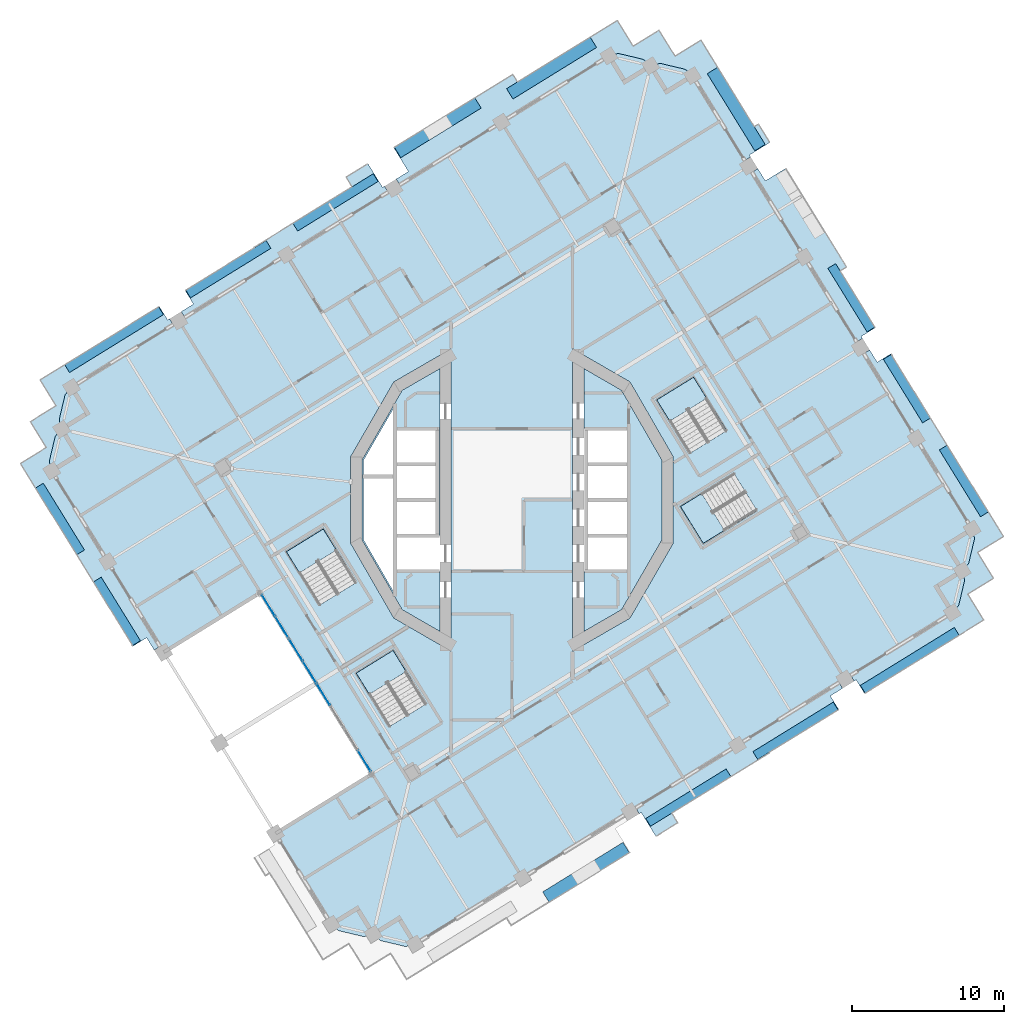
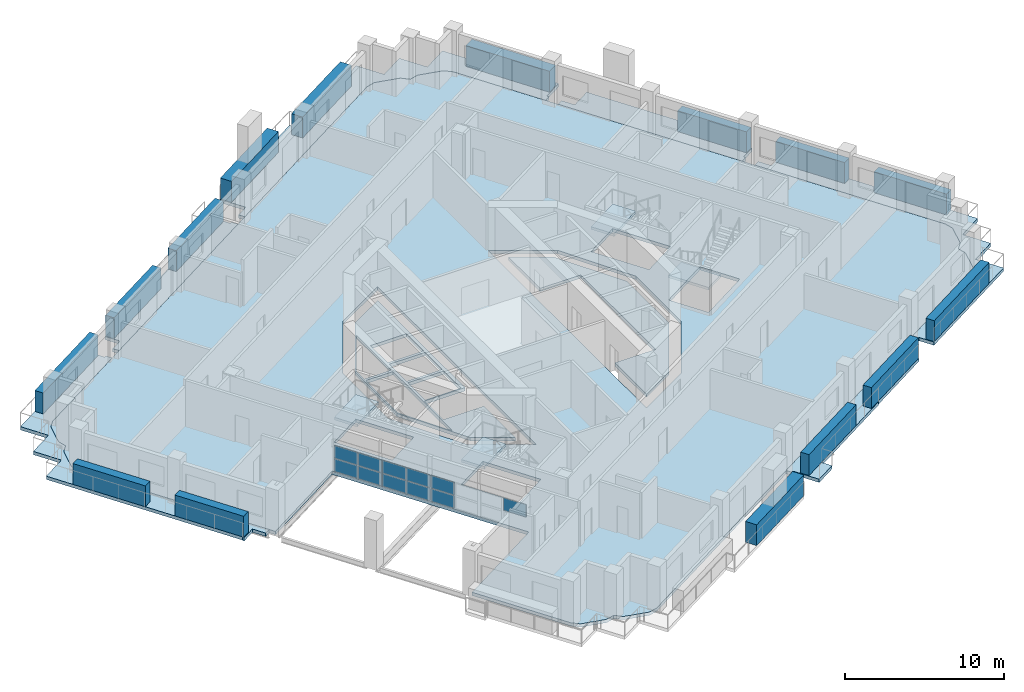
# One storey, part 6 of 22: 26 plates, 13 slabs, 5 elements without a shape of their own.
"""IFC4 building model written with IfcOpenShell, lengths in metres."""

from ifc_helpers import new_model, si_unit, direction, frame, origin, origin_2d, place, context, subcontext, project, spatial, polyline, rectangle, outline, extrude, material, layer, layer_set, type_object, element, aggregate, save


model = new_model("IFC4")

# Units and contexts
model_context = context("Model", 3, precision=1e-05, world=origin(), true_north=direction((0.0, 1.0)))
body_context = subcontext(model_context, "Body", "Model", "MODEL_VIEW")
ifc_project = project(units=[si_unit("LENGTHUNIT", "METRE"), si_unit("AREAUNIT", "SQUARE_METRE"), si_unit("VOLUMEUNIT", "CUBIC_METRE"), si_unit("PLANEANGLEUNIT", "RADIAN"), si_unit("MASSUNIT", "GRAM", prefix="KILO")], contexts=[model_context])

# Site, building, storey
site_placement = place(None, origin())
site = spatial("IfcSite", under=ifc_project, at=site_placement, CompositionType="ELEMENT")
building_placement = place(site_placement, origin())
building = spatial("IfcBuilding", under=site, at=building_placement, Name="Cantera Rosa Tower", CompositionType="ELEMENT")
storey_placement = place(building_placement, frame((0.0, 0.0, 166.60009765625)))
storey = spatial("IfcBuildingStorey", under=building, at=storey_placement, Name="L36", CompositionType="ELEMENT", Elevation=166.60009765625)

# Slabs
ifc_material_1 = material(Name="Concrete C35/45", Category="concrete")
ifc_layer_1 = layer(ifc_material_1, 0.25)
ifc_layer_set_1 = layer_set([ifc_layer_1], Name="COMPOSITE FLOOR SLAB 250 C35/45")
slab_type_1 = type_object("IfcSlabType", Name="COMPOSITE FLOOR SLAB 250 C35/45", PredefinedType="FLOOR", material=ifc_layer_set_1)
slab_1_placement = place(storey_placement, frame((0.0, 0.0, -0.25)))
element("IfcSlab", 1, at=slab_1_placement, inside=storey, type_object=slab_type_1, Name="SLAB L36 floor 1", PredefinedType="FLOOR", context=body_context, shape_type="SweptSolid", body=[
    extrude(outline(polyline([(-7.22900390625, 7.22900390625), (-4.75, 8.660400390625), (-4.75, -2.35009765625), (-7.699951171875, -2.35009765625), (-7.699951171875, -4.699951171875), (-4.75, -4.699951171875), (-4.75, -8.660400390625), (-7.22900390625, -7.22900390625), (-9.875244140625, -2.64599609375), (-9.875244140625, 2.64599609375), (-7.22900390625, 7.22900390625)]), holes=[polyline([(-7.800048828125, 1.439208984375), (-9.775146484375, 1.439208984375), (-9.775146484375, -2.619384765625), (-7.800048828125, -6.040283203125), (-7.800048828125, 1.439208984375)]), polyline([(-7.60009765625, -0.10009765625), (-7.60009765625, -2.25), (-5.0, -2.25), (-5.0, -0.10009765625), (-7.60009765625, -0.10009765625)]), polyline([(-7.60009765625, 2.25), (-7.60009765625, 0.10009765625), (-5.0, 0.10009765625), (-5.0, 2.25), (-7.60009765625, 2.25)]), polyline([(-7.60009765625, 4.60009765625), (-7.60009765625, 2.449951171875), (-5.0, 2.449951171875), (-5.0, 4.60009765625), (-7.60009765625, 4.60009765625)]), polyline([(-7.800048828125, 6.040283203125), (-9.775146484375, 2.619384765625), (-9.775146484375, 1.639404296875), (-7.800048828125, 1.639404296875), (-7.800048828125, 6.040283203125)])]), origin(), (0.0, 0.0, 1.0), 0.25),
])
slab_2_placement = place(storey_placement, frame((0.0, 0.0, -0.25)))
element("IfcSlab", 2, at=slab_2_placement, inside=storey, type_object=slab_type_1, Name="SLAB L36 floor 2", PredefinedType="FLOOR", context=body_context, shape_type="SweptSolid", body=[
    extrude(outline(polyline([(-8.647705078125, -29.0283203125), (-8.673828125, -29.014892578125), (-8.698486328125, -28.998779296875), (-8.721435546875, -28.98046875), (-9.14208984375, -28.60888671875), (-9.684814453125, -28.752197265625), (-9.713623046875, -28.75830078125), (-9.742919921875, -28.761474609375), (-9.772216796875, -28.76171875), (-9.801513671875, -28.75927734375), (-9.83056640625, -28.75390625), (-11.34423828125, -28.395263671875), (-11.37255859375, -28.386962890625), (-11.39990234375, -28.376220703125), (-11.426025390625, -28.362548828125), (-11.45068359375, -28.346435546875), (-11.4736328125, -28.328125), (-11.894287109375, -27.95654296875), (-12.408935546875, -27.122314453125), (-15.57958984375, -21.981689453125), (-9.1962890625, -18.04443359375), (-16.56689453125, -6.0947265625), (-22.950439453125, -10.031982421875), (-30.321044921875, 1.917724609375), (-30.46435546875, 2.460205078125), (-30.470458984375, 2.489013671875), (-30.4736328125, 2.518310546875), (-30.47412109375, 2.5478515625), (-30.4716796875, 2.5771484375), (-30.46630859375, 2.606201171875), (-30.107421875, 4.119873046875), (-30.09912109375, 4.148193359375), (-30.08837890625, 4.17529296875), (-30.07470703125, 4.20166015625), (-30.05859375, 4.226318359375), (-30.040283203125, 4.249267578125), (-29.668701171875, 4.669921875), (-29.81201171875, 5.21240234375), (-29.818115234375, 5.2412109375), (-29.8212890625, 5.2705078125), (-29.82177734375, 5.300048828125), (-29.8193359375, 5.329345703125), (-29.81396484375, 5.3583984375), (-29.455078125, 6.8720703125), (-29.447021484375, 6.900390625), (-29.43603515625, 6.927490234375), (-29.422607421875, 6.953857421875), (-29.406494140625, 6.978515625), (-29.38818359375, 7.00146484375), (-29.0166015625, 7.422119140625), (6.389892578125, 29.260986328125), (6.9326171875, 29.404296875), (6.96142578125, 29.410400390625), (6.99072265625, 29.413818359375), (7.02001953125, 29.4140625), (7.049560546875, 29.41162109375), (7.078369140625, 29.40625), (8.592041015625, 29.047607421875), (8.620361328125, 29.039306640625), (8.647705078125, 29.0283203125), (8.673828125, 29.014892578125), (8.698486328125, 28.998779296875), (8.721435546875, 28.98046875), (9.14208984375, 28.60888671875), (9.684814453125, 28.752197265625), (9.713623046875, 28.75830078125), (9.742919921875, 28.761474609375), (9.772216796875, 28.76171875), (9.801513671875, 28.75927734375), (9.83056640625, 28.75390625), (11.34423828125, 28.395263671875), (11.37255859375, 28.386962890625), (11.39990234375, 28.376220703125), (11.426025390625, 28.362548828125), (11.45068359375, 28.346435546875), (11.4736328125, 28.328125), (11.894287109375, 27.95654296875), (30.321044921875, -1.917724609375), (30.46435546875, -2.460205078125), (30.470458984375, -2.489013671875), (30.4736328125, -2.518310546875), (30.47412109375, -2.5478515625), (30.4716796875, -2.5771484375), (30.46630859375, -2.606201171875), (30.107421875, -4.119873046875), (30.09912109375, -4.148193359375), (30.08837890625, -4.17529296875), (30.07470703125, -4.20166015625), (30.05859375, -4.226318359375), (30.040283203125, -4.249267578125), (29.668701171875, -4.669921875), (29.81201171875, -5.21240234375), (29.818115234375, -5.2412109375), (29.8212890625, -5.2705078125), (29.82177734375, -5.300048828125), (29.8193359375, -5.329345703125), (29.81396484375, -5.3583984375), (29.455078125, -6.8720703125), (29.447021484375, -6.900390625), (29.43603515625, -6.927490234375), (29.422607421875, -6.953857421875), (29.406494140625, -6.978515625), (29.38818359375, -7.00146484375), (29.0166015625, -7.422119140625), (28.18212890625, -7.9365234375), (-6.389892578125, -29.260986328125), (-6.9326171875, -29.404296875), (-6.96142578125, -29.410400390625), (-6.99072265625, -29.413818359375), (-7.02001953125, -29.4140625), (-7.049560546875, -29.41162109375), (-7.078369140625, -29.40625), (-8.592041015625, -29.047607421875), (-8.620361328125, -29.039306640625), (-8.647705078125, -29.0283203125)]), holes=[polyline([(-5.658447265625, -13.433349609375), (-7.830810546875, -9.911376953125), (-10.256591796875, -11.407470703125), (-8.084228515625, -14.929443359375), (-5.658447265625, -13.433349609375)]), polyline([(-10.258544921875, -5.433349609375), (-12.430908203125, -1.911376953125), (-14.8564453125, -3.407470703125), (-12.68408203125, -6.929443359375), (-10.258544921875, -5.433349609375)]), polyline([(-7.7783203125, 7.7783203125), (-10.625244140625, 2.846923828125), (-10.625244140625, -2.846923828125), (-7.7783203125, -7.7783203125), (-4.0, -9.95947265625), (-4.0, 9.95947265625), (-7.7783203125, 7.7783203125)]), polyline([(14.63330078125, 1.741455078125), (11.111328125, -0.430908203125), (12.607421875, -2.8564453125), (16.12939453125, -0.68408203125), (14.63330078125, 1.741455078125)]), polyline([(7.7783203125, -7.7783203125), (10.625244140625, -2.846923828125), (10.625244140625, 2.846923828125), (7.7783203125, 7.7783203125), (4.0, 9.95947265625), (4.0, -9.95947265625), (7.7783203125, -7.7783203125)]), polyline([(11.7158203125, 3.070556640625), (14.1416015625, 4.566650390625), (11.96923828125, 8.088623046875), (9.54345703125, 6.592529296875), (11.7158203125, 3.070556640625)])]), origin(), (0.0, 0.0, 1.0), 0.25),
])
slab_3_placement = place(storey_placement, frame((0.0, 0.0, -0.25)))
element("IfcSlab", 3, at=slab_3_placement, inside=storey, type_object=slab_type_1, Name="SLAB L36 floor 3", PredefinedType="FLOOR", context=body_context, shape_type="SweptSolid", body=[
    extrude(outline(polyline([(7.699951171875, 0.0), (7.699951171875, 2.35009765625), (7.699951171875, 4.699951171875), (4.75, 4.699951171875), (4.75, 8.660400390625), (7.22900390625, 7.22900390625), (9.875244140625, 2.64599609375), (9.875244140625, -2.64599609375), (7.22900390625, -7.22900390625), (4.75, -8.660400390625), (4.75, -4.699951171875), (7.699951171875, -4.699951171875), (7.699951171875, -2.35009765625), (7.699951171875, 0.0)])), origin(), (0.0, 0.0, 1.0), 0.25),
])

# Curtain wall, plates
ifc_material_2 = material(Name="Aluminium frame with clear glass", Category="aluminium")
curtain_wall_type = type_object("IfcCurtainWallType", Name="CW1 TERRACE POCKET GLAZING", PredefinedType="NOTDEFINED", material=ifc_material_2)
curtain_wall_placement = place(storey_placement, origin())
curtain_wall = element("IfcCurtainWall", 4, at=curtain_wall_placement, inside=storey, type_object=curtain_wall_type, Name="CW1 CW1", PredefinedType="NOTDEFINED")
ifc_material_3 = material(Name="Aluminium frame with clear glass", Category="aluminium")
ifc_layer_2 = layer(ifc_material_3, 0.028076171875)
ifc_layer_set_2 = layer_set([ifc_layer_2], Name="CW-PANEL POCKET")
plate_type_1 = type_object("IfcPlateType", Name="CW-PANEL POCKET", PredefinedType="CURTAIN_PANEL", material=ifc_layer_set_2)
plate_1_placement = place(storey_placement, frame((-16.041015625, -6.947509765625, 0.06005859375), z_axis=(0.0, 0.0, 1.0), x_axis=(0.524976580369, -0.851116672416, 0.0)))
plate_1 = element("IfcPlate", 5, at=plate_1_placement, type_object=plate_type_1, Name="CW1 panel 1.1", PredefinedType="CURTAIN_PANEL", context=body_context, shape_type="SweptSolid", body=[
    extrude(rectangle(XDim=1.6337890625, YDim=0.028076171875, at=origin_2d()), origin(), (0.0, 0.0, 1.0), 0.9619140625),
])
plate_2_placement = place(storey_placement, frame((-16.041015625, -6.947509765625, 1.08203125), z_axis=(0.0, 0.0, 1.0), x_axis=(0.524976580369, -0.851116672416, 0.0)))
plate_2 = element("IfcPlate", 6, at=plate_2_placement, type_object=plate_type_1, Name="CW1 panel 1.2", PredefinedType="CURTAIN_PANEL", context=body_context, shape_type="SweptSolid", body=[
    extrude(rectangle(XDim=1.6337890625, YDim=0.028076171875, at=origin_2d()), origin(), (0.0, 0.0, 1.0), 0.9619140625),
])
plate_3_placement = place(storey_placement, frame((-15.14404296875, -8.40185546875, 0.06005859375), z_axis=(0.0, 0.0, 1.0), x_axis=(0.524976580369, -0.851116672416, 0.0)))
plate_3 = element("IfcPlate", 7, at=plate_3_placement, type_object=plate_type_1, Name="CW1 panel 2.1", PredefinedType="CURTAIN_PANEL", context=body_context, shape_type="SweptSolid", body=[
    extrude(rectangle(XDim=1.663818359375, YDim=0.028076171875, at=origin_2d()), origin(), (0.0, 0.0, 1.0), 0.9619140625),
])
plate_4_placement = place(storey_placement, frame((-15.14404296875, -8.40185546875, 1.08203125), z_axis=(0.0, 0.0, 1.0), x_axis=(0.524976580369, -0.851116672416, 0.0)))
plate_4 = element("IfcPlate", 8, at=plate_4_placement, type_object=plate_type_1, Name="CW1 panel 2.2", PredefinedType="CURTAIN_PANEL", context=body_context, shape_type="SweptSolid", body=[
    extrude(rectangle(XDim=1.663818359375, YDim=0.028076171875, at=origin_2d()), origin(), (0.0, 0.0, 1.0), 0.9619140625),
])
plate_5_placement = place(storey_placement, frame((-14.239013671875, -9.868896484375, 0.06005859375), z_axis=(0.0, 0.0, 1.0), x_axis=(0.524976580369, -0.851116672416, 0.0)))
plate_5 = element("IfcPlate", 9, at=plate_5_placement, type_object=plate_type_1, Name="CW1 panel 3.1", PredefinedType="CURTAIN_PANEL", context=body_context, shape_type="SweptSolid", body=[
    extrude(rectangle(XDim=1.663818359375, YDim=0.028076171875, at=origin_2d()), origin(), (0.0, 0.0, 1.0), 0.9619140625),
])
plate_6_placement = place(storey_placement, frame((-14.239013671875, -9.868896484375, 1.08203125), z_axis=(0.0, 0.0, 1.0), x_axis=(0.524976580369, -0.851116672416, 0.0)))
plate_6 = element("IfcPlate", 10, at=plate_6_placement, type_object=plate_type_1, Name="CW1 panel 3.2", PredefinedType="CURTAIN_PANEL", context=body_context, shape_type="SweptSolid", body=[
    extrude(rectangle(XDim=1.663818359375, YDim=0.028076171875, at=origin_2d()), origin(), (0.0, 0.0, 1.0), 0.9619140625),
])
plate_7_placement = place(storey_placement, frame((-13.334228515625, -11.3359375, 0.06005859375), z_axis=(0.0, 0.0, 1.0), x_axis=(0.524976580369, -0.851116672416, 0.0)))
plate_7 = element("IfcPlate", 11, at=plate_7_placement, type_object=plate_type_1, Name="CW1 panel 4.1", PredefinedType="CURTAIN_PANEL", context=body_context, shape_type="SweptSolid", body=[
    extrude(rectangle(XDim=1.663818359375, YDim=0.028076171875, at=origin_2d()), origin(), (0.0, 0.0, 1.0), 0.9619140625),
])
plate_8_placement = place(storey_placement, frame((-13.334228515625, -11.3359375, 1.08203125), z_axis=(0.0, 0.0, 1.0), x_axis=(0.524976580369, -0.851116672416, 0.0)))
plate_8 = element("IfcPlate", 12, at=plate_8_placement, type_object=plate_type_1, Name="CW1 panel 4.2", PredefinedType="CURTAIN_PANEL", context=body_context, shape_type="SweptSolid", body=[
    extrude(rectangle(XDim=1.663818359375, YDim=0.028076171875, at=origin_2d()), origin(), (0.0, 0.0, 1.0), 0.9619140625),
])
plate_9_placement = place(storey_placement, frame((-12.42919921875, -12.802978515625, 0.06005859375), z_axis=(0.0, 0.0, 1.0), x_axis=(0.524976580369, -0.851116672416, 0.0)))
plate_9 = element("IfcPlate", 13, at=plate_9_placement, type_object=plate_type_1, Name="CW1 panel 5.1", PredefinedType="CURTAIN_PANEL", context=body_context, shape_type="SweptSolid", body=[
    extrude(rectangle(XDim=1.663818359375, YDim=0.028076171875, at=origin_2d()), origin(), (0.0, 0.0, 1.0), 0.9619140625),
])
plate_10_placement = place(storey_placement, frame((-12.42919921875, -12.802978515625, 1.08203125), z_axis=(0.0, 0.0, 1.0), x_axis=(0.524976580369, -0.851116672416, 0.0)))
plate_10 = element("IfcPlate", 14, at=plate_10_placement, type_object=plate_type_1, Name="CW1 panel 5.2", PredefinedType="CURTAIN_PANEL", context=body_context, shape_type="SweptSolid", body=[
    extrude(rectangle(XDim=1.663818359375, YDim=0.028076171875, at=origin_2d()), origin(), (0.0, 0.0, 1.0), 0.9619140625),
])
plate_11_placement = place(storey_placement, frame((-9.72216796875, -17.191650390625, 1.08203125), z_axis=(0.0, 0.0, 1.0), x_axis=(0.524976580369, -0.851116672416, 0.0)))
plate_11 = element("IfcPlate", 15, at=plate_11_placement, type_object=plate_type_1, Name="CW1 panel 8.2", PredefinedType="CURTAIN_PANEL", context=body_context, shape_type="SweptSolid", body=[
    extrude(rectangle(XDim=1.6337890625, YDim=0.028076171875, at=origin_2d()), origin(), (0.0, 0.0, 1.0), 0.9619140625),
])
aggregate(curtain_wall, [plate_1, plate_2, plate_3, plate_4, plate_5, plate_6, plate_7, plate_8, plate_9, plate_10, plate_11])

# Slabs
ifc_material_4 = material(Name="Concrete C35/45", Category="concrete")
ifc_layer_3 = layer(ifc_material_4, 0.25)
ifc_layer_set_3 = layer_set([ifc_layer_3], Name="LOGGIA SLAB 250 C35/45")
slab_type_2 = type_object("IfcSlabType", Name="LOGGIA SLAB 250 C35/45", PredefinedType="FLOOR", material=ifc_layer_set_3)
slab_4_placement = place(storey_placement, frame((0.0, 0.0, -0.25)))
element("IfcSlab", 16, at=slab_4_placement, inside=storey, type_object=slab_type_2, Name="LOGGIA SLAB L36 1", PredefinedType="FLOOR", context=body_context, shape_type="SweptSolid", body=[
    extrude(outline(polyline([(-27.125, -6.121337890625), (-28.69970703125, -3.568115234375), (-31.59765625, 1.130126953125), (-32.38525390625, 2.406982421875), (-31.1083984375, 3.1943359375), (-30.682861328125, 3.456787109375), (-30.9453125, 3.88232421875), (-31.73291015625, 5.1591796875), (-30.456298828125, 5.946533203125), (-30.03076171875, 6.208984375), (-30.293212890625, 6.634521484375), (-31.08056640625, 7.911376953125), (-29.803955078125, 8.69873046875), (-23.999267578125, 12.279052734375), (-23.2333984375, 12.75146484375), (-22.68212890625, 11.85791015625), (-22.554443359375, 11.9365234375), (-22.318115234375, 11.5537109375), (-29.0166015625, 7.422119140625), (-29.38818359375, 7.00146484375), (-29.406494140625, 6.978515625), (-29.422607421875, 6.953857421875), (-29.43603515625, 6.927490234375), (-29.447021484375, 6.900390625), (-29.455078125, 6.8720703125), (-29.81396484375, 5.3583984375), (-29.8193359375, 5.329345703125), (-29.82177734375, 5.300048828125), (-29.8212890625, 5.2705078125), (-29.818115234375, 5.2412109375), (-29.81201171875, 5.21240234375), (-29.668701171875, 4.669921875), (-30.040283203125, 4.249267578125), (-30.05859375, 4.226318359375), (-30.07470703125, 4.20166015625), (-30.08837890625, 4.17529296875), (-30.09912109375, 4.148193359375), (-30.107421875, 4.119873046875), (-30.46630859375, 2.606201171875), (-30.4716796875, 2.5771484375), (-30.47412109375, 2.5478515625), (-30.4736328125, 2.518310546875), (-30.470458984375, 2.489013671875), (-30.46435546875, 2.460205078125), (-30.321044921875, 1.917724609375), (-23.1865234375, -9.64892578125), (-23.569580078125, -9.88525390625), (-24.068359375, -9.07666015625), (-24.98828125, -9.64404296875), (-25.05712890625, -9.53271484375), (-25.03076171875, -9.5166015625), (-27.125, -6.121337890625)])), origin(), (0.0, 0.0, 1.0), 0.25),
])
slab_5_placement = place(storey_placement, frame((0.0, 0.0, -0.25)))
element("IfcSlab", 17, at=slab_5_placement, inside=storey, type_object=slab_type_2, Name="LOGGIA SLAB L36 2", PredefinedType="FLOOR", context=body_context, shape_type="SweptSolid", body=[
    extrude(outline(polyline([(-16.973388671875, 16.659912109375), (-10.531005859375, 20.6337890625), (-10.9248046875, 21.272705078125), (-9.48583984375, 22.16015625), (-8.51953125, 20.593505859375), (-8.391845703125, 20.672119140625), (-8.155517578125, 20.289306640625), (-21.55224609375, 12.026123046875), (-21.788330078125, 12.4091796875), (-20.97998046875, 12.90771484375), (-21.531005859375, 13.801513671875), (-21.446044921875, 13.85400390625), (-16.952392578125, 16.625732421875), (-16.973388671875, 16.659912109375)])), origin(), (0.0, 0.0, 1.0), 0.25),
])
slab_6_placement = place(storey_placement, frame((0.0, 0.0, -0.25)))
element("IfcSlab", 18, at=slab_6_placement, inside=storey, type_object=slab_type_2, Name="LOGGIA SLAB L36 4", PredefinedType="FLOOR", context=body_context, shape_type="SweptSolid", body=[
    extrude(outline(polyline([(5.49755859375, 30.7080078125), (6.9443359375, 31.600341796875), (7.8369140625, 30.153564453125), (7.994384765625, 29.898193359375), (8.249755859375, 30.0556640625), (9.696533203125, 30.9482421875), (10.589111328125, 29.501220703125), (10.74658203125, 29.245849609375), (11.001953125, 29.4033203125), (12.44873046875, 30.2958984375), (13.34130859375, 28.84912109375), (15.96533203125, 24.5947265625), (16.239013671875, 24.763427734375), (16.985107421875, 23.5537109375), (15.647705078125, 22.728515625), (15.7265625, 22.600830078125), (15.343505859375, 22.36474609375), (11.894287109375, 27.95654296875), (11.4736328125, 28.328125), (11.45068359375, 28.346435546875), (11.426025390625, 28.362548828125), (11.39990234375, 28.376220703125), (11.37255859375, 28.386962890625), (11.34423828125, 28.395263671875), (9.83056640625, 28.75390625), (9.801513671875, 28.75927734375), (9.772216796875, 28.76171875), (9.742919921875, 28.761474609375), (9.713623046875, 28.75830078125), (9.684814453125, 28.752197265625), (9.14208984375, 28.60888671875), (8.721435546875, 28.98046875), (8.698486328125, 28.998779296875), (8.673828125, 29.014892578125), (8.647705078125, 29.0283203125), (8.620361328125, 29.039306640625), (8.592041015625, 29.047607421875), (7.078369140625, 29.40625), (7.049560546875, 29.41162109375), (7.02001953125, 29.4140625), (6.99072265625, 29.413818359375), (6.96142578125, 29.410400390625), (6.9326171875, 29.404296875), (6.389892578125, 29.260986328125), (-7.3896484375, 20.76171875), (-7.625732421875, 21.144775390625), (-6.8173828125, 21.643310546875), (-7.78369140625, 23.210205078125), (0.055908203125, 28.04541015625), (0.365966796875, 27.542724609375), (5.49755859375, 30.7080078125)])), origin(), (0.0, 0.0, 1.0), 0.25),
])
slab_7_placement = place(storey_placement, frame((0.0, 0.0, -0.25)))
element("IfcSlab", 19, at=slab_7_placement, inside=storey, type_object=slab_type_2, Name="LOGGIA SLAB L36 5", PredefinedType="FLOOR", context=body_context, shape_type="SweptSolid", body=[
    extrude(outline(polyline([(8.51953125, -20.593505859375), (8.391845703125, -20.672119140625), (8.155517578125, -20.289306640625), (21.55224609375, -12.026123046875), (21.788330078125, -12.4091796875), (20.97998046875, -12.90771484375), (21.531005859375, -13.801513671875), (21.446044921875, -13.85400390625), (16.952392578125, -16.625732421875), (16.973388671875, -16.659912109375), (10.531005859375, -20.6337890625), (10.9248046875, -21.272705078125), (9.48583984375, -22.16015625), (8.51953125, -20.593505859375)])), origin(), (0.0, 0.0, 1.0), 0.25),
])
slab_8_placement = place(storey_placement, frame((0.0, 0.0, -0.25)))
element("IfcSlab", 20, at=slab_8_placement, inside=storey, type_object=slab_type_2, Name="LOGGIA SLAB L36 6", PredefinedType="FLOOR", context=body_context, shape_type="SweptSolid", body=[
    extrude(outline(polyline([(23.9384765625, 11.346435546875), (23.018310546875, 10.77880859375), (23.09716796875, 10.651123046875), (22.714111328125, 10.4150390625), (15.81591796875, 21.5986328125), (16.198974609375, 21.8349609375), (16.69775390625, 21.0263671875), (18.03515625, 21.851318359375), (22.046875, 15.347412109375), (21.62939453125, 15.090087890625), (23.9384765625, 11.346435546875)])), origin(), (0.0, 0.0, 1.0), 0.25),
])
slab_9_placement = place(storey_placement, frame((0.0, 0.0, -0.25)))
element("IfcSlab", 21, at=slab_9_placement, inside=storey, type_object=slab_type_2, Name="LOGGIA SLAB L36 7", PredefinedType="FLOOR", context=body_context, shape_type="SweptSolid", body=[
    extrude(outline(polyline([(27.125, 6.121337890625), (28.69970703125, 3.568115234375), (31.59765625, -1.130126953125), (32.38525390625, -2.406982421875), (31.1083984375, -3.1943359375), (30.682861328125, -3.456787109375), (30.9453125, -3.88232421875), (31.73291015625, -5.1591796875), (30.456298828125, -5.946533203125), (30.03076171875, -6.208984375), (30.293212890625, -6.634521484375), (31.08056640625, -7.911376953125), (29.803955078125, -8.69873046875), (23.999267578125, -12.279052734375), (23.2333984375, -12.75146484375), (22.68212890625, -11.85791015625), (22.554443359375, -11.9365234375), (22.318115234375, -11.5537109375), (28.18212890625, -7.9365234375), (29.0166015625, -7.422119140625), (29.38818359375, -7.00146484375), (29.406494140625, -6.978515625), (29.422607421875, -6.953857421875), (29.43603515625, -6.927490234375), (29.447021484375, -6.900390625), (29.455078125, -6.8720703125), (29.81396484375, -5.3583984375), (29.8193359375, -5.329345703125), (29.82177734375, -5.300048828125), (29.8212890625, -5.2705078125), (29.818115234375, -5.2412109375), (29.81201171875, -5.21240234375), (29.668701171875, -4.669921875), (30.040283203125, -4.249267578125), (30.05859375, -4.226318359375), (30.07470703125, -4.20166015625), (30.08837890625, -4.17529296875), (30.09912109375, -4.148193359375), (30.107421875, -4.119873046875), (30.46630859375, -2.606201171875), (30.4716796875, -2.5771484375), (30.47412109375, -2.5478515625), (30.4736328125, -2.518310546875), (30.470458984375, -2.489013671875), (30.46435546875, -2.460205078125), (30.321044921875, -1.917724609375), (23.1865234375, 9.64892578125), (23.569580078125, 9.88525390625), (24.068359375, 9.07666015625), (24.98828125, 9.64404296875), (25.05712890625, 9.53271484375), (25.03076171875, 9.5166015625), (27.125, 6.121337890625)])), origin(), (0.0, 0.0, 1.0), 0.25),
])

# Plates
ifc_material_5 = material(Name="Cantera stone planter with soil", Category="masonry")
plate_type_2 = type_object("IfcPlateType", Name="PLANTER 600", PredefinedType="USERDEFINED", material=ifc_material_5)
plate_12_placement = place(storey_placement, frame((29.775390625, 1.2529296875, -0.000244140625), z_axis=(0.0, 0.0, 1.0), x_axis=(-0.52497658034, 0.851116672434, 0.0)))
element("IfcPlate", 22, at=plate_12_placement, inside=storey, type_object=plate_type_2, Name="PLANTER L36-01", ObjectType="PLANTER", PredefinedType="USERDEFINED", context=body_context, shape_type="SweptSolid", body=[
    extrude(rectangle(XDim=5.169921875, YDim=0.60009765625, at=origin_2d()), origin(), (0.0, 0.0, 1.0), 1.60009765625),
])
for number, where, z_axis, x_axis, name in (
    (23, (26.0244140625, 7.333984375, -0.000244140625), (0.0, 0.0, 1.0), (-0.52497658034, 0.851116672434, 0.0), "PLANTER L36-02"),
    (24, (22.365478515625, 13.3251953125, -0.000244140625), (0.0, 0.0, 1.0), (-0.52497658034, 0.851116672434, 0.0), "PLANTER L36-03"),
):
    element("IfcPlate", number, at=place(storey_placement, frame(where, z_axis=z_axis, x_axis=x_axis)), inside=storey, type_object=plate_type_2, Name=name, ObjectType="PLANTER", PredefinedType="USERDEFINED", context=body_context, shape_type="SweptSolid", body=[
        extrude(rectangle(XDim=4.919921875, YDim=0.60009765625, at=origin_2d()), origin(), (0.0, 0.0, 1.0), 1.60009765625),
    ])
for number, where, z_axis, x_axis, name in (
    (25, (-11.6240234375, 19.607177734375, -0.000244140625), (0.0, 0.0, 1.0), (-0.851116672434, -0.52497658034, 0.0), "PLANTER L36-08"),
    (26, (-18.68408203125, 15.205078125, -0.000244140625), (0.0, 0.0, 1.0), (-0.851116672434, -0.52497658034, 0.0), "PLANTER L36-09"),
):
    element("IfcPlate", number, at=place(storey_placement, frame(where, z_axis=z_axis, x_axis=x_axis)), inside=storey, type_object=plate_type_2, Name=name, ObjectType="PLANTER", PredefinedType="USERDEFINED", context=body_context, shape_type="SweptSolid", body=[
        extrude(rectangle(XDim=6.219970703125, YDim=0.60009765625, at=origin_2d()), origin(), (0.0, 0.0, 1.0), 1.60009765625),
    ])
plate_13_placement = place(storey_placement, frame((-26.212158203125, 10.561767578125, -0.000244140625), z_axis=(0.0, 0.0, 1.0), x_axis=(-0.851116672434, -0.52497658034, 0.0)))
element("IfcPlate", 27, at=plate_13_placement, inside=storey, type_object=plate_type_2, Name="PLANTER L36-10", ObjectType="PLANTER", PredefinedType="USERDEFINED", context=body_context, shape_type="SweptSolid", body=[
    extrude(rectangle(XDim=7.27001953125, YDim=0.60009765625, at=origin_2d()), origin(), (0.0, 0.0, 1.0), 1.60009765625),
])
plate_14_placement = place(storey_placement, frame((-29.775390625, -1.2529296875, -0.000244140625), z_axis=(0.0, 0.0, 1.0), x_axis=(0.52497658034, -0.851116672434, 0.0)))
element("IfcPlate", 28, at=plate_14_placement, inside=storey, type_object=plate_type_2, Name="PLANTER L36-11", ObjectType="PLANTER", PredefinedType="USERDEFINED", context=body_context, shape_type="SweptSolid", body=[
    extrude(rectangle(XDim=5.169921875, YDim=0.60009765625, at=origin_2d()), origin(), (0.0, 0.0, 1.0), 1.60009765625),
])
plate_15_placement = place(storey_placement, frame((-26.0244140625, -7.333984375, -0.000244140625), z_axis=(0.0, 0.0, 1.0), x_axis=(0.52497658034, -0.851116672434, 0.0)))
element("IfcPlate", 29, at=plate_15_placement, inside=storey, type_object=plate_type_2, Name="PLANTER L36-12", ObjectType="PLANTER", PredefinedType="USERDEFINED", context=body_context, shape_type="SweptSolid", body=[
    extrude(rectangle(XDim=4.919921875, YDim=0.60009765625, at=origin_2d()), origin(), (0.0, 0.0, 1.0), 1.60009765625),
])
for number, where, z_axis, x_axis, name in (
    (30, (11.6240234375, -19.607177734375, -0.000244140625), (0.0, 0.0, 1.0), (0.851116672434, 0.52497658034, 0.0), "PLANTER L36-18"),
    (31, (18.68408203125, -15.205078125, -0.000244140625), (0.0, 0.0, 1.0), (0.851116672434, 0.52497658034, 0.0), "PLANTER L36-19"),
):
    element("IfcPlate", number, at=place(storey_placement, frame(where, z_axis=z_axis, x_axis=x_axis)), inside=storey, type_object=plate_type_2, Name=name, ObjectType="PLANTER", PredefinedType="USERDEFINED", context=body_context, shape_type="SweptSolid", body=[
        extrude(rectangle(XDim=6.219970703125, YDim=0.60009765625, at=origin_2d()), origin(), (0.0, 0.0, 1.0), 1.60009765625),
    ])
plate_16_placement = place(storey_placement, frame((26.212158203125, -10.561767578125, -0.000244140625), z_axis=(0.0, 0.0, 1.0), x_axis=(0.851116672434, 0.52497658034, 0.0)))
element("IfcPlate", 32, at=plate_16_placement, inside=storey, type_object=plate_type_2, Name="PLANTER L36-20", ObjectType="PLANTER", PredefinedType="USERDEFINED", context=body_context, shape_type="SweptSolid", body=[
    extrude(rectangle(XDim=7.27001953125, YDim=0.60009765625, at=origin_2d()), origin(), (0.0, 0.0, 1.0), 1.60009765625),
])
ifc_material_6 = material(Name="Cantera stone planter with soil", Category="masonry")
plate_type_3 = type_object("IfcPlateType", Name="PLANTER 800", PredefinedType="USERDEFINED", material=ifc_material_6)
plate_17_placement = place(storey_placement, frame((14.77783203125, 25.758056640625, -0.000244140625), z_axis=(0.0, 0.0, 1.0), x_axis=(-0.52497658034, 0.851116672434, 0.0)))
element("IfcPlate", 33, at=plate_17_placement, inside=storey, type_object=plate_type_3, Name="PLANTER L36-05", ObjectType="PLANTER", PredefinedType="USERDEFINED", context=body_context, shape_type="SweptSolid", body=[
    extrude(rectangle(XDim=5.969970703125, YDim=0.800048828125, at=origin_2d()), origin(), (0.0, 0.0, 1.0), 1.60009765625),
])
plate_18_placement = place(storey_placement, frame((2.61376953125, 28.459228515625, -0.000244140625), z_axis=(0.0, 0.0, 1.0), x_axis=(-0.851116672434, -0.52497658034, 0.0)))
element("IfcPlate", 34, at=plate_18_placement, inside=storey, type_object=plate_type_3, Name="PLANTER L36-06", ObjectType="PLANTER", PredefinedType="USERDEFINED", context=body_context, shape_type="SweptSolid", body=[
    extrude(rectangle(XDim=6.469970703125, YDim=0.800048828125, at=origin_2d()), origin(), (0.0, 0.0, 1.0), 1.60009765625),
])
for number, where, z_axis, x_axis, name in (
    (35, (-4.884033203125, 24.528564453125, -0.000244140625), (0.0, 0.0, 1.0), (-0.851116672434, -0.52497658034, 0.0), "PLANTER L36-07"),
    (36, (4.884033203125, -24.528564453125, -0.000244140625), (0.0, 0.0, 1.0), (0.851116672434, 0.52497658034, 0.0), "PLANTER L36-17"),
):
    element("IfcPlate", number, at=place(storey_placement, frame(where, z_axis=z_axis, x_axis=x_axis)), inside=storey, type_object=plate_type_3, Name=name, ObjectType="PLANTER", PredefinedType="USERDEFINED", context=body_context, shape_type="SweptSolid", body=[
        extrude(rectangle(XDim=6.219970703125, YDim=0.800048828125, at=origin_2d()), origin(), (0.0, 0.0, 1.0), 1.60009765625),
    ])

# Stair, slab
ifc_material_7 = material(Name="Concrete C35/45", Category="concrete")
stair_type = type_object("IfcStairType", Name="EXIT STAIR 1350 DOGLEG", PredefinedType="HALF_TURN_STAIR", material=ifc_material_7)
stair_1_placement = place(storey_placement, origin())
stair_1 = element("IfcStair", 37, at=stair_1_placement, inside=storey, type_object=stair_type, Name="L36 ST-31", PredefinedType="HALF_TURN_STAIR")
ifc_material_8 = material(Name="Concrete C35/45", Category="concrete")
ifc_layer_4 = layer(ifc_material_8, 0.199951171875)
ifc_layer_set_4 = layer_set([ifc_layer_4], Name="STAIR LANDING 200")
slab_type_3 = type_object("IfcSlabType", Name="STAIR LANDING 200", PredefinedType="LANDING", material=ifc_layer_set_4)
slab_10_placement = place(storey_placement, frame((0.0, 0.0, 1.699951171875)))
slab_10 = element("IfcSlab", 38, at=slab_10_placement, type_object=slab_type_3, Name="ST-31 landing 1", PredefinedType="LANDING", context=body_context, shape_type="SweptSolid", body=[
    extrude(outline(polyline([(12.8310546875, 6.691162109375), (11.96923828125, 8.088623046875), (9.54345703125, 6.592529296875), (10.405517578125, 5.19482421875), (12.8310546875, 6.691162109375)])), origin(), (0.0, 0.0, 1.0), 0.199951171875),
])
aggregate(stair_1, [slab_10])

stair_2_placement = place(storey_placement, origin())
stair_2 = element("IfcStair", 39, at=stair_2_placement, inside=storey, type_object=stair_type, Name="L36 ST-32", PredefinedType="HALF_TURN_STAIR")
slab_11_placement = place(storey_placement, frame((0.0, 0.0, 1.699951171875)))
slab_11 = element("IfcSlab", 40, at=slab_11_placement, type_object=slab_type_3, Name="ST-32 landing 1", PredefinedType="LANDING", context=body_context, shape_type="SweptSolid", body=[
    extrude(outline(polyline([(-11.56884765625, -3.308837890625), (-12.430908203125, -1.911376953125), (-14.8564453125, -3.407470703125), (-13.99462890625, -4.80517578125), (-11.56884765625, -3.308837890625)])), origin(), (0.0, 0.0, 1.0), 0.199951171875),
])
aggregate(stair_2, [slab_11])

stair_3_placement = place(storey_placement, origin())
stair_3 = element("IfcStair", 41, at=stair_3_placement, inside=storey, type_object=stair_type, Name="L36 ST-33", PredefinedType="HALF_TURN_STAIR")
slab_12_placement = place(storey_placement, frame((0.0, 0.0, 1.699951171875)))
slab_12 = element("IfcSlab", 42, at=slab_12_placement, type_object=slab_type_3, Name="ST-33 landing 1", PredefinedType="LANDING", context=body_context, shape_type="SweptSolid", body=[
    extrude(outline(polyline([(-6.96875, -11.308837890625), (-7.830810546875, -9.911376953125), (-10.256591796875, -11.407470703125), (-9.39453125, -12.80517578125), (-6.96875, -11.308837890625)])), origin(), (0.0, 0.0, 1.0), 0.199951171875),
])
aggregate(stair_3, [slab_12])

stair_4_placement = place(storey_placement, origin())
stair_4 = element("IfcStair", 43, at=stair_4_placement, inside=storey, type_object=stair_type, Name="L36 ST-34", PredefinedType="HALF_TURN_STAIR")
slab_13_placement = place(storey_placement, frame((0.0, 0.0, 1.699951171875)))
slab_13 = element("IfcSlab", 44, at=slab_13_placement, type_object=slab_type_3, Name="ST-34 landing 1", PredefinedType="LANDING", context=body_context, shape_type="SweptSolid", body=[
    extrude(outline(polyline([(12.5087890625, 0.43115234375), (11.111328125, -0.430908203125), (12.607421875, -2.8564453125), (14.005126953125, -1.99462890625), (12.5087890625, 0.43115234375)])), origin(), (0.0, 0.0, 1.0), 0.199951171875),
])
aggregate(stair_4, [slab_13])

save(model, "model.ifc")
